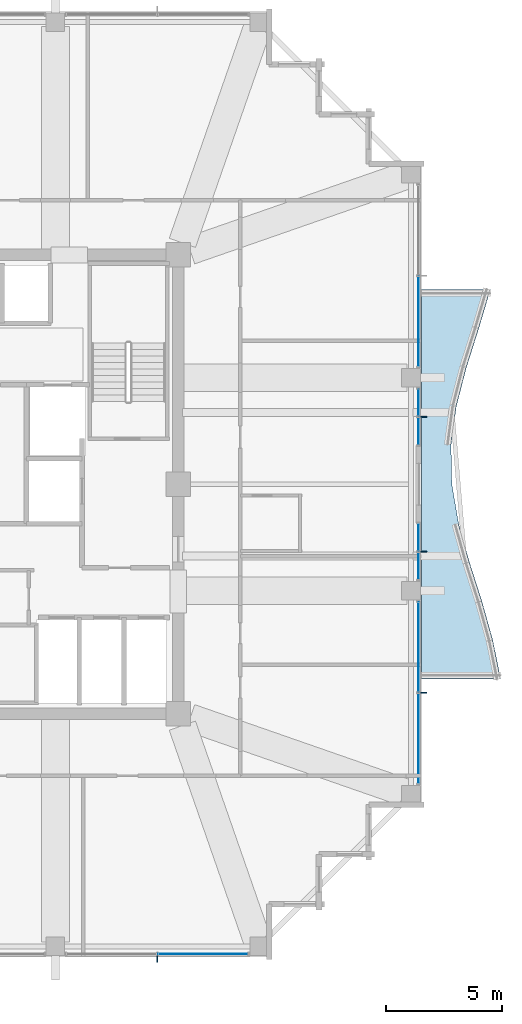
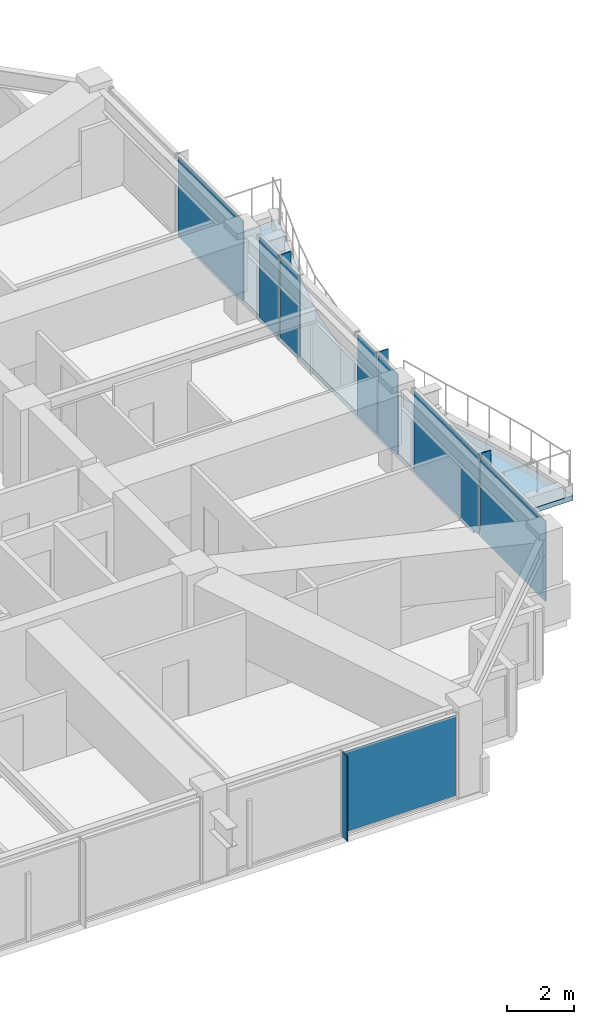
# One storey, part 26 of 35: 12 plates, 1 slab, 5 elements without a shape of their own.
"""IFC4 building model written with IfcOpenShell, lengths in metres."""

from ifc_helpers import new_model, si_unit, direction, frame, origin, origin_2d, place, context, subcontext, project, spatial, polyline, rectangle, outline, extrude, material, layer, layer_set, type_object, element, aggregate, save


model = new_model("IFC4")

# Units and contexts
model_context = context("Model", 3, precision=1e-05, world=origin(), true_north=direction((0.0, 1.0)))
body_context = subcontext(model_context, "Body", "Model", "MODEL_VIEW")
ifc_project = project(units=[si_unit("LENGTHUNIT", "METRE"), si_unit("AREAUNIT", "SQUARE_METRE"), si_unit("VOLUMEUNIT", "CUBIC_METRE"), si_unit("PLANEANGLEUNIT", "RADIAN"), si_unit("MASSUNIT", "GRAM", prefix="KILO")], contexts=[model_context])

# Site, building, storey
site_placement = place(None, origin())
site = spatial("IfcSite", under=ifc_project, at=site_placement, CompositionType="ELEMENT")
building_placement = place(site_placement, origin())
building = spatial("IfcBuilding", under=site, at=building_placement, Name="Kolvaren Belvedere", CompositionType="ELEMENT")
storey_placement = place(building_placement, frame((0.0, 0.0, 203.10009765625)))
storey = spatial("IfcBuildingStorey", under=building, at=storey_placement, Name="L59", CompositionType="ELEMENT", Elevation=203.10009765625)

# Curtain wall, plate
ifc_material_1 = material(Name="Anodised pale-metal aluminium AA 6063-T6", Category="aluminium")
curtain_wall_type = type_object("IfcCurtainWallType", Name="CW-Z5-HIGH", PredefinedType="NOTDEFINED", material=ifc_material_1)
curtain_wall_1_placement = place(storey_placement, origin())
curtain_wall_1 = element("IfcCurtainWall", 1, at=curtain_wall_1_placement, inside=storey, type_object=curtain_wall_type, Name="L59 Unitised Curtain Wall FCW-L59-S-B1", PredefinedType="NOTDEFINED")
ifc_material_2 = material(Name="Low-iron triple insulated glass", Category="glass")
ifc_layer_1 = layer(ifc_material_2, 0.028076171875)
ifc_layer_set_1 = layer_set([ifc_layer_1], Name="Low-iron triple insulated glass")
plate_type_1 = type_object("IfcPlateType", Name="CW-PNL-VIS28", PredefinedType="CURTAIN_PANEL", material=ifc_layer_set_1)
plate_1_placement = place(storey_placement, frame((10.972412109375, -20.280029296875, 0.079833984375), z_axis=(0.0, 0.0, 1.0), x_axis=(-1.0, 0.0, 0.0)))
plate_1 = element("IfcPlate", 2, at=plate_1_placement, type_object=plate_type_1, Name="FCW-L59-S-B1 Vision Glazing Panel 1", PredefinedType="CURTAIN_PANEL", context=body_context, shape_type="SweptSolid", body=[
    extrude(rectangle(XDim=3.864990234375, YDim=0.028076171875, at=origin_2d()), origin(), (0.0, 0.0, 1.0), 2.919921875),
])
aggregate(curtain_wall_1, [plate_1])

curtain_wall_2_placement = place(storey_placement, origin())
curtain_wall_2 = element("IfcCurtainWall", 3, at=curtain_wall_2_placement, inside=storey, type_object=curtain_wall_type, Name="L59 Unitised Curtain Wall FCW-L59-E1-B1", PredefinedType="NOTDEFINED")
plate_2_placement = place(storey_placement, frame((20.280029296875, 7.027587890625, 0.079833984375), z_axis=(0.0, 0.0, 1.0), x_axis=(0.0, -1.0, 0.0)))
plate_2 = element("IfcPlate", 4, at=plate_2_placement, type_object=plate_type_1, Name="FCW-L59-E1-B1 Vision Glazing Panel 2", PredefinedType="CURTAIN_PANEL", context=body_context, shape_type="SweptSolid", body=[
    extrude(rectangle(XDim=3.864990234375, YDim=0.028076171875, at=origin_2d()), origin(), (0.0, 0.0, 1.0), 2.919921875),
])
aggregate(curtain_wall_2, [plate_2])

# Curtain wall, plates
curtain_wall_3_placement = place(storey_placement, origin())
curtain_wall_3 = element("IfcCurtainWall", 5, at=curtain_wall_3_placement, inside=storey, type_object=curtain_wall_type, Name="L59 Unitised Curtain Wall FCW-L59-E1-B2", PredefinedType="NOTDEFINED")
plate_3_placement = place(storey_placement, frame((20.280029296875, 3.52880859375, 0.079833984375), z_axis=(0.0, 0.0, 1.0), x_axis=(0.0, -1.0, 0.0)))
plate_3 = element("IfcPlate", 6, at=plate_3_placement, type_object=plate_type_1, Name="FCW-L59-E1-B2 Vision Glazing Panel 1", PredefinedType="CURTAIN_PANEL", context=body_context, shape_type="SweptSolid", body=[
    extrude(rectangle(XDim=1.152587890625, YDim=0.028076171875, at=origin_2d()), origin(), (0.0, 0.0, 1.0), 2.919921875),
])
plate_4_placement = place(storey_placement, frame((20.280029296875, 2.296142578125, 0.079833984375), z_axis=(0.0, 0.0, 1.0), x_axis=(0.0, -1.0, 0.0)))
plate_4 = element("IfcPlate", 7, at=plate_4_placement, type_object=plate_type_1, Name="FCW-L59-E1-B2 Vision Glazing Panel 2", PredefinedType="CURTAIN_PANEL", context=body_context, shape_type="SweptSolid", body=[
    extrude(rectangle(XDim=1.152587890625, YDim=0.028076171875, at=origin_2d()), origin(), (0.0, 0.0, 1.0), 2.919921875),
])
aggregate(curtain_wall_3, [plate_3, plate_4])

curtain_wall_4_placement = place(storey_placement, origin())
curtain_wall_4 = element("IfcCurtainWall", 8, at=curtain_wall_4_placement, inside=storey, type_object=curtain_wall_type, Name="L59 Unitised Curtain Wall FCW-L59-E2-B1", PredefinedType="NOTDEFINED")
plate_5_placement = place(storey_placement, frame((20.280029296875, -2.296142578125, 0.079833984375), z_axis=(0.0, 0.0, 1.0), x_axis=(0.0, -1.0, 0.0)))
plate_5 = element("IfcPlate", 9, at=plate_5_placement, type_object=plate_type_1, Name="FCW-L59-E2-B1 Vision Glazing Panel 1", PredefinedType="CURTAIN_PANEL", context=body_context, shape_type="SweptSolid", body=[
    extrude(rectangle(XDim=1.152587890625, YDim=0.028076171875, at=origin_2d()), origin(), (0.0, 0.0, 1.0), 2.919921875),
])
plate_6_placement = place(storey_placement, frame((20.280029296875, -3.52880859375, 0.079833984375), z_axis=(0.0, 0.0, 1.0), x_axis=(0.0, -1.0, 0.0)))
plate_6 = element("IfcPlate", 10, at=plate_6_placement, type_object=plate_type_1, Name="FCW-L59-E2-B1 Vision Glazing Panel 2", PredefinedType="CURTAIN_PANEL", context=body_context, shape_type="SweptSolid", body=[
    extrude(rectangle(XDim=1.152587890625, YDim=0.028076171875, at=origin_2d()), origin(), (0.0, 0.0, 1.0), 2.919921875),
])
aggregate(curtain_wall_4, [plate_5, plate_6])

curtain_wall_5_placement = place(storey_placement, origin())
curtain_wall_5 = element("IfcCurtainWall", 11, at=curtain_wall_5_placement, inside=storey, type_object=curtain_wall_type, Name="L59 Unitised Curtain Wall FCW-L59-E2-B2", PredefinedType="NOTDEFINED")
plate_7_placement = place(storey_placement, frame((20.280029296875, -7.027587890625, 0.079833984375), z_axis=(0.0, 0.0, 1.0), x_axis=(0.0, -1.0, 0.0)))
plate_7 = element("IfcPlate", 12, at=plate_7_placement, type_object=plate_type_1, Name="FCW-L59-E2-B2 Vision Glazing Panel 1", PredefinedType="CURTAIN_PANEL", context=body_context, shape_type="SweptSolid", body=[
    extrude(rectangle(XDim=3.864990234375, YDim=0.028076171875, at=origin_2d()), origin(), (0.0, 0.0, 1.0), 2.919921875),
])
plate_8_placement = place(storey_placement, frame((20.280029296875, -10.972412109375, 0.079833984375), z_axis=(0.0, 0.0, 1.0), x_axis=(0.0, -1.0, 0.0)))
plate_8 = element("IfcPlate", 13, at=plate_8_placement, type_object=plate_type_1, Name="FCW-L59-E2-B2 Vision Glazing Panel 2", PredefinedType="CURTAIN_PANEL", context=body_context, shape_type="SweptSolid", body=[
    extrude(rectangle(XDim=3.864990234375, YDim=0.028076171875, at=origin_2d()), origin(), (0.0, 0.0, 1.0), 2.919921875),
])
aggregate(curtain_wall_5, [plate_7, plate_8])

# Plates
ifc_material_3 = material(Name="Anodised pale-metal aluminium AA 6063-T6", Category="aluminium")
ifc_layer_2 = layer(ifc_material_3, 0.030029296875)
ifc_layer_set_2 = layer_set([ifc_layer_2], Name="Anodised pale-metal aluminium AA 6063-T6")
plate_type_2 = type_object("IfcPlateType", Name="FIN-VERT-300", PredefinedType="USERDEFINED", material=ifc_layer_set_2)
for number, where, z_axis, x_axis, name in (
    (14, (9.0, -20.489990234375, -0.000244140625), (0.0, 0.0, 1.0), (0.0, 1.0, 0.0), "L59 Pale-Metal Vertical Shading Fin FCW-L59-S-B1-1"),
    (15, (20.489990234375, 2.91259765625, -0.000244140625), (0.0, 0.0, 1.0), (1.0, 0.0, 0.0), "L59 Pale-Metal Vertical Shading Fin FCW-L59-E1-B2-1"),
    (16, (20.489990234375, -2.91259765625, -0.000244140625), (0.0, 0.0, 1.0), (1.0, 0.0, 0.0), "L59 Pale-Metal Vertical Shading Fin FCW-L59-E2-B1-1"),
    (17, (20.489990234375, -9.0, -0.000244140625), (0.0, 0.0, 1.0), (1.0, 0.0, 0.0), "L59 Pale-Metal Vertical Shading Fin FCW-L59-E2-B2-1"),
):
    element("IfcPlate", number, at=place(storey_placement, frame(where, z_axis=z_axis, x_axis=x_axis)), inside=storey, type_object=plate_type_2, Name=name, ObjectType="VERTICAL FIN", PredefinedType="USERDEFINED", context=body_context, shape_type="SweptSolid", body=[
        extrude(rectangle(XDim=0.300048828125, YDim=0.030029296875, at=origin_2d()), origin(), (0.0, 0.0, 1.0), 3.080078125),
    ])

# Slab
ifc_material_4 = material(Name="Concrete C50/60", Category="concrete")
ifc_layer_3 = layer(ifc_material_4, 0.179931640625)
ifc_layer_set_3 = layer_set([ifc_layer_3], Name="Concrete C50/60")
slab_type = type_object("IfcSlabType", Name="SL-BAL-180", PredefinedType="FLOOR", material=ifc_layer_set_3)
slab_placement = place(storey_placement, frame((0.0, 0.0, -0.22021484375)))
element("IfcSlab", 18, at=slab_placement, inside=storey, type_object=slab_type, Name="L59 Planted Balcony BAL-E", PredefinedType="FLOOR", context=body_context, shape_type="SweptSolid", body=[
    extrude(outline(polyline([(23.820068359375, -8.39990234375), (23.479248046875, -6.719970703125), (23.008544921875, -5.0400390625), (22.471435546875, -3.360107421875), (22.000732421875, -1.679931640625), (21.712890625, 0.0), (21.67919921875, 1.679931640625), (21.90771484375, 3.360107421875), (22.34228515625, 5.0400390625), (22.87548828125, 6.719970703125), (23.374755859375, 8.39990234375), (20.39990234375, 8.39990234375), (20.39990234375, 6.719970703125), (20.39990234375, 5.0400390625), (20.39990234375, 3.360107421875), (20.39990234375, 1.679931640625), (20.39990234375, 0.0), (20.39990234375, -1.679931640625), (20.39990234375, -3.360107421875), (20.39990234375, -5.0400390625), (20.39990234375, -6.719970703125), (20.39990234375, -8.39990234375), (23.820068359375, -8.39990234375)])), origin(), (0.0, 0.0, 1.0), 0.18017578125),
])

save(model, "model.ifc")
